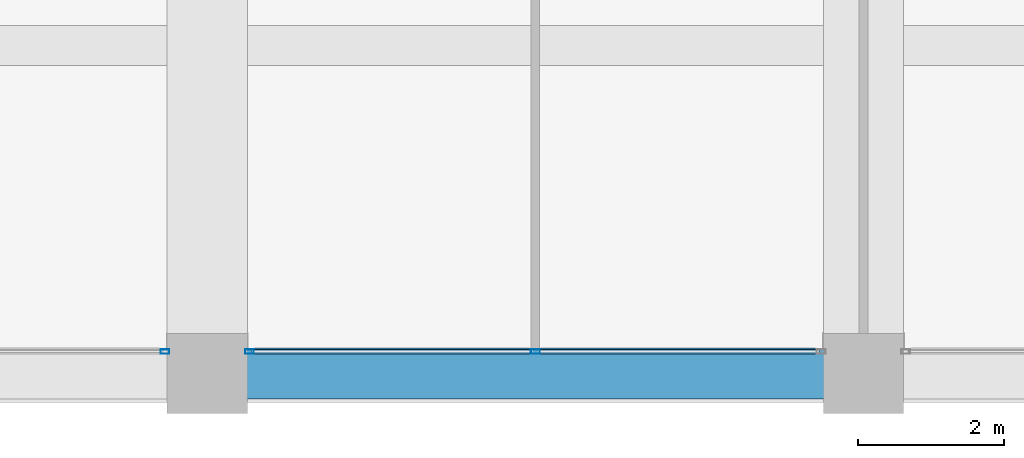
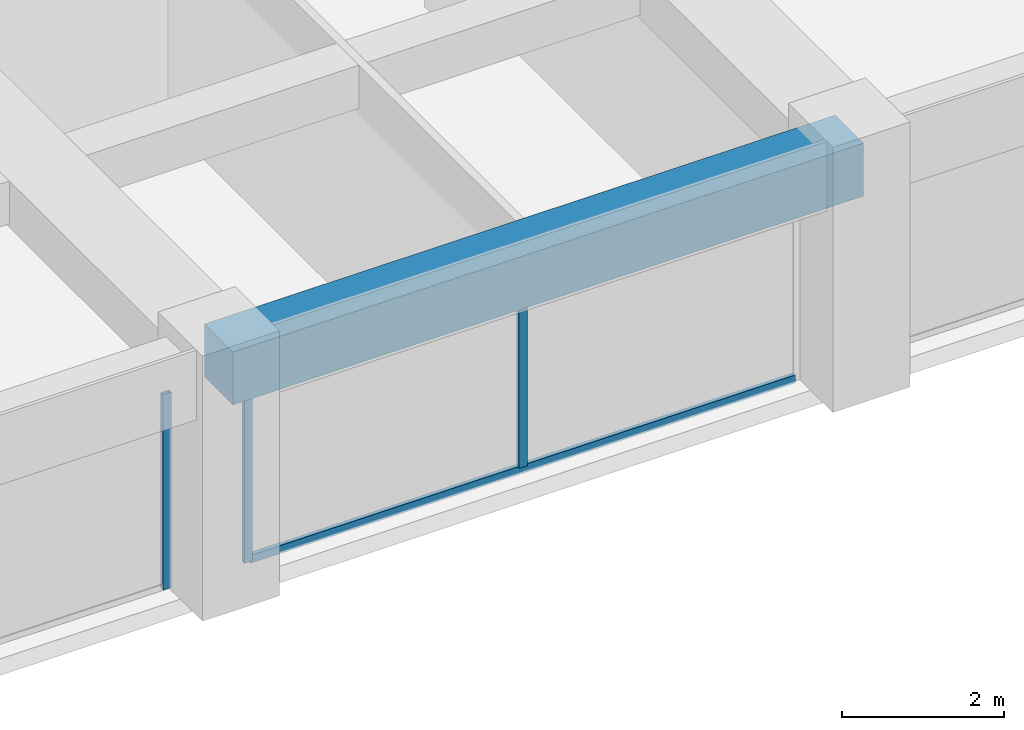
# One storey, part 9 of 45: 4 members, 1 beam, 2 elements without a shape of their own.
"""IFC4 building model written with IfcOpenShell, lengths in metres."""

from ifc_helpers import new_model, si_unit, direction, frame, origin, origin_2d, place, context, subcontext, project, spatial, rectangle, hollow_rectangle, extrude, material, material_profile, profile_set, type_object, element, aggregate, save


model = new_model("IFC4")

# Units and contexts
model_context = context("Model", 3, precision=1e-05, world=origin(), true_north=direction((0.0, 1.0)))
body_context = subcontext(model_context, "Body", "Model", "MODEL_VIEW")
ifc_project = project(units=[si_unit("LENGTHUNIT", "METRE"), si_unit("AREAUNIT", "SQUARE_METRE"), si_unit("VOLUMEUNIT", "CUBIC_METRE"), si_unit("PLANEANGLEUNIT", "RADIAN"), si_unit("MASSUNIT", "GRAM", prefix="KILO")], contexts=[model_context])

# Site, building, storey
site_placement = place(None, origin())
site = spatial("IfcSite", under=ifc_project, at=site_placement, CompositionType="ELEMENT")
building_placement = place(site_placement, origin())
building = spatial("IfcBuilding", under=site, at=building_placement, Name="Zorevar Civic Tower", CompositionType="ELEMENT")
storey_placement = place(building_placement, frame((0.0, 0.0, 279.39990234375)))
storey = spatial("IfcBuildingStorey", under=building, at=storey_placement, Name="L68", CompositionType="ELEMENT", Elevation=279.39990234375)

# Curtain wall, member
ifc_material_1 = material(Name="Dark grey solar-control glass in black aluminium frame", Category="aluminium")
curtain_wall_type = type_object("IfcCurtainWallType", Name="Curtain wall CW5 top zone", PredefinedType="NOTDEFINED", material=ifc_material_1)
curtain_wall_1_placement = place(storey_placement, origin())
curtain_wall_1 = element("IfcCurtainWall", 1, at=curtain_wall_1_placement, inside=storey, type_object=curtain_wall_type, Name="CW5 L68", PredefinedType="NOTDEFINED")
ifc_material_2 = material(Name="Aluminium, black anodised", Category="aluminium")
ifc_material_profile_1 = material_profile(ifc_material_2, hollow_rectangle(XDim=0.06005859375, YDim=0.1201171875, WallThickness=0.0029296875, at=origin_2d()), Name="AL 120x60x3")
ifc_profile_set_1 = profile_set([ifc_material_profile_1], Name="Aluminium, black anodised")
member_type_1 = type_object("IfcMemberType", Name="CW5 mullion AL 120x60x3", PredefinedType="MULLION", material=ifc_profile_set_1)
member_1_placement = place(storey_placement, frame((26.419921875, 0.300048828125, 0.0), z_axis=(0.0, 0.0, 1.0), x_axis=(0.0, 1.0, 0.0)))
member_1 = element("IfcMember", 2, at=member_1_placement, type_object=member_type_1, Name="CW5 mullion 3", PredefinedType="MULLION", context=body_context, shape_type="SweptSolid", body=[
    extrude(hollow_rectangle(XDim=0.06005859375, YDim=0.1201171875, WallThickness=0.0029296875, at=origin_2d()), origin(), (0.0, 0.0, 1.0), 2.9501953125),
])
aggregate(curtain_wall_1, [member_1])

# Curtain wall, members
curtain_wall_2_placement = place(storey_placement, origin())
curtain_wall_2 = element("IfcCurtainWall", 3, at=curtain_wall_2_placement, inside=storey, type_object=curtain_wall_type, Name="CW5 L68", PredefinedType="NOTDEFINED")
member_2_placement = place(storey_placement, frame((27.580078125, 0.300048828125, 0.0), z_axis=(0.0, 0.0, 1.0), x_axis=(0.0, 1.0, 0.0)))
member_2 = element("IfcMember", 4, at=member_2_placement, type_object=member_type_1, Name="CW5 mullion 1", PredefinedType="MULLION", context=body_context, shape_type="SweptSolid", body=[
    extrude(hollow_rectangle(XDim=0.06005859375, YDim=0.1201171875, WallThickness=0.0029296875, at=origin_2d()), origin(), (0.0, 0.0, 1.0), 2.9501953125),
])
member_3_placement = place(storey_placement, frame((31.5, 0.300048828125, 0.06005859375), z_axis=(0.0, 0.0, 1.0), x_axis=(0.0, 1.0, 0.0)))
member_3 = element("IfcMember", 5, at=member_3_placement, type_object=member_type_1, Name="CW5 mullion 2", PredefinedType="MULLION", context=body_context, shape_type="SweptSolid", body=[
    extrude(hollow_rectangle(XDim=0.06005859375, YDim=0.1201171875, WallThickness=0.0029296875, at=origin_2d()), origin(), (0.0, 0.0, 1.0), 2.89013671875),
])
ifc_material_3 = material(Name="Aluminium, black anodised", Category="aluminium")
ifc_material_profile_2 = material_profile(ifc_material_3, hollow_rectangle(XDim=0.06005859375, YDim=0.1201171875, WallThickness=0.0029296875, at=origin_2d()), Name="AL 120x60x3")
ifc_profile_set_2 = profile_set([ifc_material_profile_2], Name="Aluminium, black anodised")
member_type_2 = type_object("IfcMemberType", Name="CW5 transom AL 120x60x3", PredefinedType="USERDEFINED", material=ifc_profile_set_2)
member_4_placement = place(storey_placement, frame((27.610107421875, 0.300048828125, 0.030029296875), z_axis=(1.0, 0.0, 0.0), x_axis=(0.0, 1.0, 0.0)))
member_4 = element("IfcMember", 6, at=member_4_placement, type_object=member_type_2, Name="CW5 sill transom", ObjectType="TRANSOM", PredefinedType="USERDEFINED", context=body_context, shape_type="SweptSolid", body=[
    extrude(hollow_rectangle(XDim=0.06005859375, YDim=0.1201171875, WallThickness=0.0029296875, at=origin_2d()), origin(), (0.0, 0.0, 1.0), 7.77978515625),
])
aggregate(curtain_wall_2, [member_2, member_3, member_4])

# Beam
ifc_material_4 = material(Name="Concrete C50/60", Category="concrete")
ifc_material_profile_3 = material_profile(ifc_material_4, rectangle(XDim=0.699951171875, YDim=0.800048828125, at=origin_2d()), Name="RC 700x800")
ifc_profile_set_3 = profile_set([ifc_material_profile_3], Name="Concrete C50/60")
beam_type = type_object("IfcBeamType", Name="Edge beam RC 700x800", PredefinedType="SPANDREL", material=ifc_profile_set_3)
beam_placement = place(storey_placement, frame((27.0, 0.0, 3.35009765625), z_axis=(1.0, 0.0, 0.0), x_axis=(0.0, 1.0, 0.0)))
element("IfcBeam", 7, at=beam_placement, inside=storey, type_object=beam_type, Name="Edge beam L69", PredefinedType="SPANDREL", context=body_context, shape_type="SweptSolid", body=[
    extrude(rectangle(XDim=0.699951171875, YDim=0.800048828125, at=origin_2d()), origin(), (0.0, 0.0, 1.0), 9.0),
])

save(model, "model.ifc")
